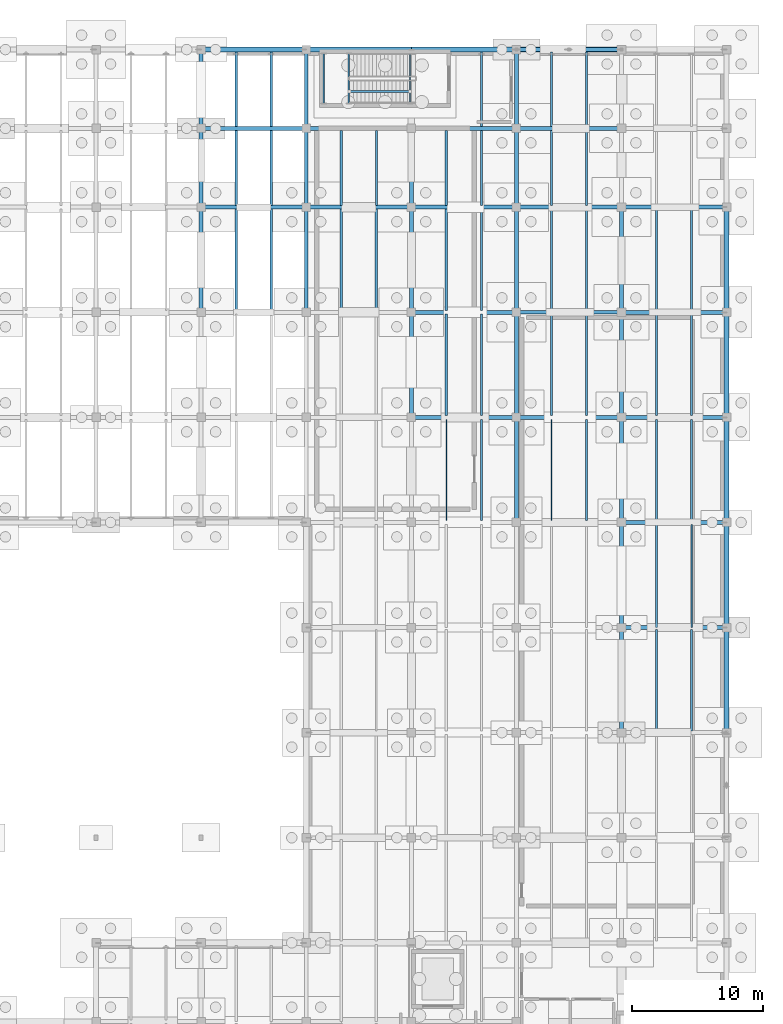
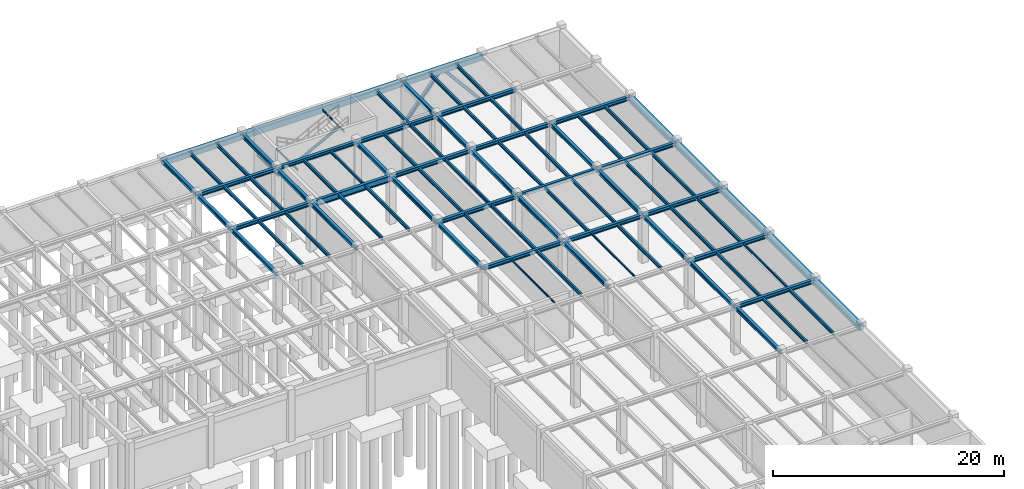
# One storey, part 30 of 71: 87 beams, 3 members.
"""IFC4 building model written with IfcOpenShell, lengths in metres."""

from ifc_helpers import new_model, si_unit, direction, frame, origin, origin_2d, place, context, subcontext, project, spatial, rectangle, hollow_rectangle, i_section, extrude, material, material_profile, profile_set, type_object, element, save


model = new_model("IFC4")

# Units and contexts
model_context = context("Model", 3, precision=1e-05, world=origin(), true_north=direction((0.0, 1.0)))
body_context = subcontext(model_context, "Body", "Model", "MODEL_VIEW")
ifc_project = project(units=[si_unit("LENGTHUNIT", "METRE"), si_unit("AREAUNIT", "SQUARE_METRE"), si_unit("VOLUMEUNIT", "CUBIC_METRE"), si_unit("PLANEANGLEUNIT", "RADIAN"), si_unit("MASSUNIT", "GRAM", prefix="KILO")], contexts=[model_context])

# Site, building, storey
site_placement = place(None, origin())
site = spatial("IfcSite", under=ifc_project, at=site_placement, CompositionType="ELEMENT")
building_placement = place(site_placement, origin())
building = spatial("IfcBuilding", under=site, at=building_placement, Name="Sundkrona Museum", CompositionType="ELEMENT")
storey_placement = place(building_placement, frame((0.0, 0.0, -5.39990234375)))
storey = spatial("IfcBuildingStorey", under=building, at=storey_placement, Name="B1", CompositionType="ELEMENT", Elevation=-5.39990234375)

# Beams
ifc_material_1 = material(Name="Steel S355J2", Category="steel")
ifc_material_profile_1 = material_profile(ifc_material_1, i_section(OverallWidth=0.300048828125, OverallDepth=0.639892578125, WebThickness=0.013427734375, FlangeThickness=0.02587890625, FilletRadius=0.027099609375, at=origin_2d()), Name="HEA 650")
ifc_profile_set_1 = profile_set([ifc_material_profile_1], Name="Steel S355J2")
beam_type_1 = type_object("IfcBeamType", Name="B-HEA650", PredefinedType="BEAM", material=ifc_profile_set_1)
beam_1_placement = place(storey_placement, frame((136.0, 102.0, 4.704833984375), z_axis=(1.0, 0.0, 0.0), x_axis=(0.0, 1.0, 0.0)))
element("IfcBeam", 1, at=beam_1_placement, inside=storey, type_object=beam_type_1, Name="B1 Girder X-0171", PredefinedType="BEAM", context=body_context, shape_type="SweptSolid", body=[
    extrude(i_section(OverallWidth=0.300048828125, OverallDepth=0.639892578125, WebThickness=0.013427734375, FlangeThickness=0.02587890625, FilletRadius=0.027099609375, at=origin_2d()), origin(), (0.0, 0.0, 1.0), 8.0),
])
ifc_material_profile_2 = material_profile(ifc_material_1, i_section(OverallWidth=0.300048828125, OverallDepth=0.360107421875, WebThickness=0.012451171875, FlangeThickness=0.0224609375, FilletRadius=0.027099609375, at=origin_2d()), Name="HEB 360")
ifc_profile_set_2 = profile_set([ifc_material_profile_2], Name="Steel S355J2")
beam_type_2 = type_object("IfcBeamType", Name="B-HEB360", PredefinedType="BEAM", material=ifc_profile_set_2)
beam_2_placement = place(storey_placement, frame((136.0, 108.0, 4.844970703125), z_axis=(1.0, 0.0, 0.0), x_axis=(0.0, 1.0, 0.0)))
element("IfcBeam", 2, at=beam_2_placement, inside=storey, type_object=beam_type_2, Name="B1 Girder X-0189", PredefinedType="BEAM", context=body_context, shape_type="SweptSolid", body=[
    extrude(i_section(OverallWidth=0.300048828125, OverallDepth=0.360107421875, WebThickness=0.012451171875, FlangeThickness=0.0224609375, FilletRadius=0.027099609375, at=origin_2d()), origin(), (0.0, 0.0, 1.0), 8.0),
])
ifc_material_profile_3 = material_profile(ifc_material_1, i_section(OverallWidth=0.300048828125, OverallDepth=0.39990234375, WebThickness=0.013427734375, FlangeThickness=0.02392578125, FilletRadius=0.027099609375, at=origin_2d()), Name="HEB 400")
ifc_profile_set_3 = profile_set([ifc_material_profile_3], Name="Steel S355J2")
beam_type_3 = type_object("IfcBeamType", Name="B-HEB400", PredefinedType="BEAM", material=ifc_profile_set_3)
for number, where, z_axis, x_axis, name in (
    (3, (160.0, 70.0, 4.849853515625), (1.0, 0.0, 0.0), (0.0, 1.0, 0.0), "B1 Girder X-0096"),
    (4, (160.0, 78.0, 4.824951171875), (1.0, 0.0, 0.0), (0.0, 1.0, 0.0), "B1 Girder X-0116"),
    (5, (144.0, 86.0, 4.824951171875), (1.0, 0.0, 0.0), (0.0, 1.0, 0.0), "B1 Girder X-0132"),
    (6, (152.0, 86.0, 4.824951171875), (1.0, 0.0, 0.0), (0.0, 1.0, 0.0), "B1 Girder X-0133"),
    (7, (160.0, 86.0, 4.824951171875), (1.0, 0.0, 0.0), (0.0, 1.0, 0.0), "B1 Girder X-0134"),
    (8, (144.0, 94.0, 4.824951171875), (1.0, 0.0, 0.0), (0.0, 1.0, 0.0), "B1 Girder X-0152"),
    (9, (160.0, 94.0, 4.824951171875), (1.0, 0.0, 0.0), (0.0, 1.0, 0.0), "B1 Girder X-0154"),
    (10, (128.0, 102.0, 4.824951171875), (1.0, 0.0, 0.0), (0.0, 1.0, 0.0), "B1 Girder X-0170"),
    (11, (144.0, 102.0, 4.824951171875), (1.0, 0.0, 0.0), (0.0, 1.0, 0.0), "B1 Girder X-0172"),
    (12, (152.0, 102.0, 4.824951171875), (1.0, 0.0, 0.0), (0.0, 1.0, 0.0), "B1 Girder X-0173"),
    (13, (160.0, 102.0, 4.824951171875), (1.0, 0.0, 0.0), (0.0, 1.0, 0.0), "B1 Girder X-0174"),
    (14, (128.0, 108.0, 4.824951171875), (1.0, 0.0, 0.0), (0.0, 1.0, 0.0), "B1 Girder X-0188"),
    (15, (144.0, 108.0, 4.824951171875), (1.0, 0.0, 0.0), (0.0, 1.0, 0.0), "B1 Girder X-0190"),
    (16, (152.0, 108.0, 4.824951171875), (1.0, 0.0, 0.0), (0.0, 1.0, 0.0), "B1 Girder X-0191"),
    (17, (128.0, 94.0, 4.919921875), (0.0, 1.0, 0.0), (-1.0, 0.0, 0.0), "B1 Girder Y-0348"),
):
    element("IfcBeam", number, at=place(storey_placement, frame(where, z_axis=z_axis, x_axis=x_axis)), inside=storey, type_object=beam_type_3, Name=name, PredefinedType="BEAM", context=body_context, shape_type="SweptSolid", body=[
        extrude(i_section(OverallWidth=0.300048828125, OverallDepth=0.39990234375, WebThickness=0.013427734375, FlangeThickness=0.02392578125, FilletRadius=0.027099609375, at=origin_2d()), origin(), (0.0, 0.0, 1.0), 8.0),
    ])
for number, where, z_axis, x_axis, name in (
    (18, (128.0, 102.0, 4.919921875), (0.0, 1.0, 0.0), (-1.0, 0.0, 0.0), "B1 Girder Y-0349"),
    (19, (128.0, 108.0, 4.919921875), (0.0, 1.0, 0.0), (-1.0, 0.0, 0.0), "B1 Girder Y-0350"),
):
    element("IfcBeam", number, at=place(storey_placement, frame(where, z_axis=z_axis, x_axis=x_axis)), inside=storey, type_object=beam_type_3, Name=name, PredefinedType="BEAM", context=body_context, shape_type="SweptSolid", body=[
        extrude(i_section(OverallWidth=0.300048828125, OverallDepth=0.39990234375, WebThickness=0.013427734375, FlangeThickness=0.02392578125, FilletRadius=0.027099609375, at=origin_2d()), origin(), (0.0, 0.0, 1.0), 6.0),
    ])
beam_3_placement = place(storey_placement, frame((136.0, 94.0, 4.824951171875), z_axis=(0.0, 1.0, 0.0), x_axis=(-1.0, 0.0, 0.0)))
element("IfcBeam", 20, at=beam_3_placement, inside=storey, type_object=beam_type_3, Name="B1 Girder Y-0363", PredefinedType="BEAM", context=body_context, shape_type="SweptSolid", body=[
    extrude(i_section(OverallWidth=0.300048828125, OverallDepth=0.39990234375, WebThickness=0.013427734375, FlangeThickness=0.02392578125, FilletRadius=0.027099609375, at=origin_2d()), origin(), (0.0, 0.0, 1.0), 8.0),
])
for number, where, z_axis, x_axis, name in (
    (21, (136.0, 102.0, 4.824951171875), (0.0, 1.0, 0.0), (-1.0, 0.0, 0.0), "B1 Girder Y-0364"),
    (22, (136.0, 108.0, 4.824951171875), (0.0, 1.0, 0.0), (-1.0, 0.0, 0.0), "B1 Girder Y-0365"),
):
    element("IfcBeam", number, at=place(storey_placement, frame(where, z_axis=z_axis, x_axis=x_axis)), inside=storey, type_object=beam_type_3, Name=name, PredefinedType="BEAM", context=body_context, shape_type="SweptSolid", body=[
        extrude(i_section(OverallWidth=0.300048828125, OverallDepth=0.39990234375, WebThickness=0.013427734375, FlangeThickness=0.02392578125, FilletRadius=0.027099609375, at=origin_2d()), origin(), (0.0, 0.0, 1.0), 6.0),
    ])
for number, where, z_axis, x_axis, name in (
    (23, (144.0, 86.0, 4.824951171875), (0.0, 1.0, 0.0), (-1.0, 0.0, 0.0), "B1 Girder Y-0377"),
    (24, (144.0, 94.0, 4.824951171875), (0.0, 1.0, 0.0), (-1.0, 0.0, 0.0), "B1 Girder Y-0378"),
):
    element("IfcBeam", number, at=place(storey_placement, frame(where, z_axis=z_axis, x_axis=x_axis)), inside=storey, type_object=beam_type_3, Name=name, PredefinedType="BEAM", context=body_context, shape_type="SweptSolid", body=[
        extrude(i_section(OverallWidth=0.300048828125, OverallDepth=0.39990234375, WebThickness=0.013427734375, FlangeThickness=0.02392578125, FilletRadius=0.027099609375, at=origin_2d()), origin(), (0.0, 0.0, 1.0), 8.0),
    ])
beam_4_placement = place(storey_placement, frame((144.0, 102.0, 4.824951171875), z_axis=(0.0, 1.0, 0.0), x_axis=(-1.0, 0.0, 0.0)))
element("IfcBeam", 25, at=beam_4_placement, inside=storey, type_object=beam_type_3, Name="B1 Girder Y-0379", PredefinedType="BEAM", context=body_context, shape_type="SweptSolid", body=[
    extrude(i_section(OverallWidth=0.300048828125, OverallDepth=0.39990234375, WebThickness=0.013427734375, FlangeThickness=0.02392578125, FilletRadius=0.027099609375, at=origin_2d()), origin(), (0.0, 0.0, 1.0), 6.0),
])
for number, where, z_axis, x_axis, name in (
    (26, (152.0, 78.0, 4.824951171875), (0.0, 1.0, 0.0), (-1.0, 0.0, 0.0), "B1 Girder Y-0390"),
    (27, (152.0, 86.0, 4.824951171875), (0.0, 1.0, 0.0), (-1.0, 0.0, 0.0), "B1 Girder Y-0391"),
    (28, (152.0, 94.0, 4.824951171875), (0.0, 1.0, 0.0), (-1.0, 0.0, 0.0), "B1 Girder Y-0392"),
):
    element("IfcBeam", number, at=place(storey_placement, frame(where, z_axis=z_axis, x_axis=x_axis)), inside=storey, type_object=beam_type_3, Name=name, PredefinedType="BEAM", context=body_context, shape_type="SweptSolid", body=[
        extrude(i_section(OverallWidth=0.300048828125, OverallDepth=0.39990234375, WebThickness=0.013427734375, FlangeThickness=0.02392578125, FilletRadius=0.027099609375, at=origin_2d()), origin(), (0.0, 0.0, 1.0), 8.0),
    ])
for number, where, z_axis, x_axis, name in (
    (29, (152.0, 102.0, 4.824951171875), (0.0, 1.0, 0.0), (-1.0, 0.0, 0.0), "B1 Girder Y-0393"),
    (30, (152.0, 108.0, 4.824951171875), (0.0, 1.0, 0.0), (-1.0, 0.0, 0.0), "B1 Girder Y-0394"),
):
    element("IfcBeam", number, at=place(storey_placement, frame(where, z_axis=z_axis, x_axis=x_axis)), inside=storey, type_object=beam_type_3, Name=name, PredefinedType="BEAM", context=body_context, shape_type="SweptSolid", body=[
        extrude(i_section(OverallWidth=0.300048828125, OverallDepth=0.39990234375, WebThickness=0.013427734375, FlangeThickness=0.02392578125, FilletRadius=0.027099609375, at=origin_2d()), origin(), (0.0, 0.0, 1.0), 6.0),
    ])
for number, where, z_axis, x_axis, name in (
    (31, (160.0, 62.0, 4.849853515625), (0.0, 1.0, 0.0), (-1.0, 0.0, 0.0), "B1 Girder Y-0401"),
    (32, (160.0, 70.0, 4.824951171875), (0.0, 1.0, 0.0), (-1.0, 0.0, 0.0), "B1 Girder Y-0402"),
    (33, (160.0, 78.0, 4.824951171875), (0.0, 1.0, 0.0), (-1.0, 0.0, 0.0), "B1 Girder Y-0403"),
    (34, (160.0, 86.0, 4.824951171875), (0.0, 1.0, 0.0), (-1.0, 0.0, 0.0), "B1 Girder Y-0404"),
    (35, (160.0, 94.0, 4.824951171875), (0.0, 1.0, 0.0), (-1.0, 0.0, 0.0), "B1 Girder Y-0405"),
):
    element("IfcBeam", number, at=place(storey_placement, frame(where, z_axis=z_axis, x_axis=x_axis)), inside=storey, type_object=beam_type_3, Name=name, PredefinedType="BEAM", context=body_context, shape_type="SweptSolid", body=[
        extrude(i_section(OverallWidth=0.300048828125, OverallDepth=0.39990234375, WebThickness=0.013427734375, FlangeThickness=0.02392578125, FilletRadius=0.027099609375, at=origin_2d()), origin(), (0.0, 0.0, 1.0), 8.0),
    ])
ifc_material_2 = material(Name="Concrete C40/50", Category="concrete")
ifc_material_profile_4 = material_profile(ifc_material_2, rectangle(XDim=0.39990234375, YDim=0.64990234375, at=origin_2d()), Name="RCB 400x650")
ifc_profile_set_4 = profile_set([ifc_material_profile_4], Name="Concrete C40/50")
beam_type_4 = type_object("IfcBeamType", Name="B-RC400", PredefinedType="BEAM", material=ifc_profile_set_4)
for number, where, z_axis, x_axis, name in (
    (36, (128.0, 114.0, 4.699951171875), (1.0, 0.0, 0.0), (0.0, 1.0, 0.0), "B1 Girder X-0206"),
    (37, (136.0, 114.0, 4.699951171875), (1.0, 0.0, 0.0), (0.0, 1.0, 0.0), "B1 Girder X-0207"),
    (38, (144.0, 114.0, 4.699951171875), (1.0, 0.0, 0.0), (0.0, 1.0, 0.0), "B1 Girder X-0208"),
    (39, (152.0, 114.0, 4.699951171875), (1.0, 0.0, 0.0), (0.0, 1.0, 0.0), "B1 Girder X-0209"),
    (40, (168.0, 62.0, 4.724853515625), (0.0, 1.0, 0.0), (-1.0, 0.0, 0.0), "B1 Girder Y-0416"),
    (41, (168.0, 70.0, 4.699951171875), (0.0, 1.0, 0.0), (-1.0, 0.0, 0.0), "B1 Girder Y-0417"),
    (42, (168.0, 78.0, 4.699951171875), (0.0, 1.0, 0.0), (-1.0, 0.0, 0.0), "B1 Girder Y-0418"),
    (43, (168.0, 86.0, 4.699951171875), (0.0, 1.0, 0.0), (-1.0, 0.0, 0.0), "B1 Girder Y-0419"),
    (44, (168.0, 94.0, 4.699951171875), (0.0, 1.0, 0.0), (-1.0, 0.0, 0.0), "B1 Girder Y-0420"),
):
    element("IfcBeam", number, at=place(storey_placement, frame(where, z_axis=z_axis, x_axis=x_axis)), inside=storey, type_object=beam_type_4, Name=name, PredefinedType="BEAM", context=body_context, shape_type="SweptSolid", body=[
        extrude(rectangle(XDim=0.39990234375, YDim=0.64990234375, at=origin_2d()), origin(), (0.0, 0.0, 1.0), 8.0),
    ])
ifc_material_3 = material(Name="Steel S460M", Category="steel")
ifc_material_profile_5 = material_profile(ifc_material_3, hollow_rectangle(XDim=0.25, YDim=0.25, WallThickness=0.012451171875, at=origin_2d()), Name="SHS 250x250x12.5")
ifc_profile_set_5 = profile_set([ifc_material_profile_5], Name="Steel S460M")
beam_type_5 = type_object("IfcBeamType", Name="B-SHS250", PredefinedType="BEAM", material=ifc_profile_set_5)
beam_5_placement = place(storey_placement, frame((152.0, 94.0, 4.89990234375), z_axis=(1.0, 0.0, 0.0), x_axis=(0.0, 1.0, 0.0)))
element("IfcBeam", 45, at=beam_5_placement, inside=storey, type_object=beam_type_5, Name="B1 Girder X-0153", PredefinedType="BEAM", context=body_context, shape_type="SweptSolid", body=[
    extrude(hollow_rectangle(XDim=0.25, YDim=0.25, WallThickness=0.012451171875, at=origin_2d()), origin(), (0.0, 0.0, 1.0), 8.0),
])

# Members
ifc_material_profile_6 = material_profile(ifc_material_1, i_section(OverallWidth=0.300048828125, OverallDepth=0.2900390625, WebThickness=0.008544921875, FlangeThickness=0.013916015625, FilletRadius=0.027099609375, at=origin_2d()), Name="HEA 300")
ifc_profile_set_6 = profile_set([ifc_material_profile_6], Name="Steel S355J2")
member_type_1 = type_object("IfcMemberType", Name="BR-HEA300", PredefinedType="BRACE", material=ifc_profile_set_6)
for number, where, z_axis, x_axis, name in (
    (46, (152.0, 114.0, 0.0), (0.639796377979, 0.0, 0.768544465028), (0.0, 1.0, 0.0), "CBR-1 B1 Concentric Chevron Brace 029A"),
    (47, (160.0, 114.0, 0.0), (-0.639796377979, 0.0, 0.768544465028), (0.0, -1.0, 0.0), "CBR-1 B1 Concentric Chevron Brace 029B"),
):
    element("IfcMember", number, at=place(storey_placement, frame(where, z_axis=z_axis, x_axis=x_axis)), inside=storey, type_object=member_type_1, Name=name, PredefinedType="BRACE", context=body_context, shape_type="SweptSolid", body=[
        extrude(i_section(OverallWidth=0.300048828125, OverallDepth=0.2900390625, WebThickness=0.008544921875, FlangeThickness=0.013916015625, FilletRadius=0.027099609375, at=origin_2d()), origin(), (0.0, 0.0, 1.0), 6.251953125),
    ])
ifc_material_profile_7 = material_profile(ifc_material_1, i_section(OverallWidth=0.135009765625, OverallDepth=0.27001953125, WebThickness=0.006591796875, FlangeThickness=0.01025390625, FilletRadius=0.014892578125, at=origin_2d()), Name="IPE 270")
ifc_profile_set_7 = profile_set([ifc_material_profile_7], Name="Steel S355J2")
member_type_2 = type_object("IfcMemberType", Name="BR-IPE270", PredefinedType="BRACE", material=ifc_profile_set_7)
member_placement = place(storey_placement, frame((139.284912109375, 110.800048828125, 2.3798828125), z_axis=(0.884492571905, 0.0, 0.466554273632), x_axis=(0.0, 1.0, 0.0)))
element("IfcMember", 48, at=member_placement, inside=storey, type_object=member_type_2, Name="SRK-1 B1 ST-5 Flight 2 Inclined Carriage Raker", PredefinedType="BRACE", context=body_context, shape_type="SweptSolid", body=[
    extrude(i_section(OverallWidth=0.135009765625, OverallDepth=0.27001953125, WebThickness=0.006591796875, FlangeThickness=0.01025390625, FilletRadius=0.014892578125, at=origin_2d()), origin(), (0.0, 0.0, 1.0), 5.2177734375),
])

# Beams
ifc_material_profile_8 = material_profile(ifc_material_1, i_section(OverallWidth=0.091064453125, OverallDepth=0.179931640625, WebThickness=0.00537109375, FlangeThickness=0.008056640625, FilletRadius=0.009033203125, at=origin_2d()), Name="IPE 180")
ifc_profile_set_8 = profile_set([ifc_material_profile_8], Name="Steel S355J2")
beam_type_6 = type_object("IfcBeamType", Name="J-IPE180", PredefinedType="JOIST", material=ifc_profile_set_8)
beam_6_placement = place(storey_placement, frame((146.666748046875, 78.14404296875, 4.934814453125), z_axis=(0.0, 1.0, 0.0), x_axis=(-1.0, 0.0, 0.0)))
element("IfcBeam", 49, at=beam_6_placement, inside=storey, type_object=beam_type_6, Name="B1 Composite Joist 0255", PredefinedType="JOIST", context=body_context, shape_type="SweptSolid", body=[
    extrude(i_section(OverallWidth=0.091064453125, OverallDepth=0.179931640625, WebThickness=0.00537109375, FlangeThickness=0.008056640625, FilletRadius=0.009033203125, at=origin_2d()), origin(), (0.0, 0.0, 1.0), 7.7119140625),
])
ifc_material_profile_9 = material_profile(ifc_material_1, i_section(OverallWidth=0.10009765625, OverallDepth=0.199951171875, WebThickness=0.005615234375, FlangeThickness=0.008544921875, FilletRadius=0.011962890625, at=origin_2d()), Name="IPE 200")
ifc_profile_set_9 = profile_set([ifc_material_profile_9], Name="Steel S355J2")
beam_type_7 = type_object("IfcBeamType", Name="J-IPE200", PredefinedType="JOIST", material=ifc_profile_set_9)
beam_7_placement = place(storey_placement, frame((154.666748046875, 78.14404296875, 4.9248046875), z_axis=(0.0, 1.0, 0.0), x_axis=(-1.0, 0.0, 0.0)))
element("IfcBeam", 50, at=beam_7_placement, inside=storey, type_object=beam_type_7, Name="B1 Composite Joist 0280", PredefinedType="JOIST", context=body_context, shape_type="SweptSolid", body=[
    extrude(i_section(OverallWidth=0.10009765625, OverallDepth=0.199951171875, WebThickness=0.005615234375, FlangeThickness=0.008544921875, FilletRadius=0.011962890625, at=origin_2d()), origin(), (0.0, 0.0, 1.0), 7.7119140625),
])
for number, where, z_axis, x_axis, name in (
    (51, (137.339599609375, 109.909912109375, 2.3798828125), (0.0, 1.0, 0.0), (-1.0, 0.0, 0.0), "B1 ST-5 Mid-Landing Trimmer Beam 1A"),
    (52, (139.245361328125, 109.909912109375, 2.3798828125), (0.0, 1.0, 0.0), (-1.0, 0.0, 0.0), "B1 ST-5 Mid-Landing Trimmer Beam 1B"),
    (53, (143.89990234375, 109.909912109375, 4.814208984375), (0.0, 1.0, 0.0), (-1.0, 0.0, 0.0), "B1 ST-5 Flight 2 Arrival Header Beam"),
):
    element("IfcBeam", number, at=place(storey_placement, frame(where, z_axis=z_axis, x_axis=x_axis)), inside=storey, type_object=beam_type_7, Name=name, PredefinedType="JOIST", context=body_context, shape_type="SweptSolid", body=[
        extrude(i_section(OverallWidth=0.10009765625, OverallDepth=0.199951171875, WebThickness=0.005615234375, FlangeThickness=0.008544921875, FilletRadius=0.011962890625, at=origin_2d()), origin(), (0.0, 0.0, 1.0), 3.780029296875),
    ])
ifc_material_profile_10 = material_profile(ifc_material_1, i_section(OverallWidth=0.1201171875, OverallDepth=0.239990234375, WebThickness=0.006103515625, FlangeThickness=0.009765625, FilletRadius=0.014892578125, at=origin_2d()), Name="IPE 240")
ifc_profile_set_10 = profile_set([ifc_material_profile_10], Name="Steel S355J2")
beam_type_8 = type_object("IfcBeamType", Name="J-IPE240", PredefinedType="JOIST", material=ifc_profile_set_10)
beam_8_placement = place(storey_placement, frame((165.333251953125, 70.014892578125, 4.90478515625), z_axis=(0.0, 1.0, 0.0), x_axis=(-1.0, 0.0, 0.0)))
element("IfcBeam", 54, at=beam_8_placement, inside=storey, type_object=beam_type_8, Name="B1 Composite Joist 0305", PredefinedType="JOIST", context=body_context, shape_type="SweptSolid", body=[
    extrude(i_section(OverallWidth=0.1201171875, OverallDepth=0.239990234375, WebThickness=0.006103515625, FlangeThickness=0.009765625, FilletRadius=0.014892578125, at=origin_2d()), origin(), (0.0, 0.0, 1.0), 7.841064453125),
])
ifc_material_profile_11 = material_profile(ifc_material_1, i_section(OverallWidth=0.14990234375, OverallDepth=0.300048828125, WebThickness=0.007080078125, FlangeThickness=0.0107421875, FilletRadius=0.014892578125, at=origin_2d()), Name="IPE 300")
ifc_profile_set_11 = profile_set([ifc_material_profile_11], Name="Steel S355J2")
beam_type_9 = type_object("IfcBeamType", Name="J-IPE300", PredefinedType="JOIST", material=ifc_profile_set_11)
beam_9_placement = place(storey_placement, frame((141.333251953125, 102.14404296875, 4.875), z_axis=(0.0, 1.0, 0.0), x_axis=(-1.0, 0.0, 0.0)))
element("IfcBeam", 55, at=beam_9_placement, inside=storey, type_object=beam_type_9, Name="B1 Composite Joist 0235", PredefinedType="JOIST", context=body_context, shape_type="SweptSolid", body=[
    extrude(i_section(OverallWidth=0.14990234375, OverallDepth=0.300048828125, WebThickness=0.007080078125, FlangeThickness=0.0107421875, FilletRadius=0.014892578125, at=origin_2d()), origin(), (0.0, 0.0, 1.0), 5.7119140625),
])
ifc_material_profile_12 = material_profile(ifc_material_1, i_section(OverallWidth=0.159912109375, OverallDepth=0.330078125, WebThickness=0.007568359375, FlangeThickness=0.011474609375, FilletRadius=0.01806640625, at=origin_2d()), Name="IPE 330")
ifc_profile_set_12 = profile_set([ifc_material_profile_12], Name="Steel S355J2")
beam_type_10 = type_object("IfcBeamType", Name="J-IPE330", PredefinedType="JOIST", material=ifc_profile_set_12)
beam_10_placement = place(storey_placement, frame((149.333251953125, 94.14404296875, 4.85986328125), z_axis=(0.0, 1.0, 0.0), x_axis=(-1.0, 0.0, 0.0)))
element("IfcBeam", 56, at=beam_10_placement, inside=storey, type_object=beam_type_10, Name="B1 Composite Joist 0260", PredefinedType="JOIST", context=body_context, shape_type="SweptSolid", body=[
    extrude(i_section(OverallWidth=0.159912109375, OverallDepth=0.330078125, WebThickness=0.007568359375, FlangeThickness=0.011474609375, FilletRadius=0.01806640625, at=origin_2d()), origin(), (0.0, 0.0, 1.0), 7.7119140625),
])
ifc_material_profile_13 = material_profile(ifc_material_1, i_section(OverallWidth=0.169921875, OverallDepth=0.360107421875, WebThickness=0.008056640625, FlangeThickness=0.0126953125, FilletRadius=0.01806640625, at=origin_2d()), Name="IPE 360")
ifc_profile_set_13 = profile_set([ifc_material_profile_13], Name="Steel S355J2")
beam_type_11 = type_object("IfcBeamType", Name="J-IPE360", PredefinedType="JOIST", material=ifc_profile_set_13)
for number, where, z_axis, x_axis, name in (
    (57, (130.666748046875, 94.14404296875, 4.844970703125), (0.0, 1.0, 0.0), (-1.0, 0.0, 0.0), "B1 Composite Joist 0202"),
    (58, (133.333251953125, 94.14404296875, 4.844970703125), (0.0, 1.0, 0.0), (-1.0, 0.0, 0.0), "B1 Composite Joist 0203"),
):
    element("IfcBeam", number, at=place(storey_placement, frame(where, z_axis=z_axis, x_axis=x_axis)), inside=storey, type_object=beam_type_11, Name=name, PredefinedType="JOIST", context=body_context, shape_type="SweptSolid", body=[
        extrude(i_section(OverallWidth=0.169921875, OverallDepth=0.360107421875, WebThickness=0.008056640625, FlangeThickness=0.0126953125, FilletRadius=0.01806640625, at=origin_2d()), origin(), (0.0, 0.0, 1.0), 7.7119140625),
    ])
for number, where, z_axis, x_axis, name in (
    (59, (130.666748046875, 102.14404296875, 4.844970703125), (0.0, 1.0, 0.0), (-1.0, 0.0, 0.0), "B1 Composite Joist 0204"),
    (60, (133.333251953125, 102.14404296875, 4.844970703125), (0.0, 1.0, 0.0), (-1.0, 0.0, 0.0), "B1 Composite Joist 0205"),
):
    element("IfcBeam", number, at=place(storey_placement, frame(where, z_axis=z_axis, x_axis=x_axis)), inside=storey, type_object=beam_type_11, Name=name, PredefinedType="JOIST", context=body_context, shape_type="SweptSolid", body=[
        extrude(i_section(OverallWidth=0.169921875, OverallDepth=0.360107421875, WebThickness=0.008056640625, FlangeThickness=0.0126953125, FilletRadius=0.01806640625, at=origin_2d()), origin(), (0.0, 0.0, 1.0), 5.7119140625),
    ])
for number, where, z_axis, x_axis, name in (
    (61, (130.666748046875, 108.14404296875, 4.844970703125), (0.0, 1.0, 0.0), (-1.0, 0.0, 0.0), "B1 Composite Joist 0206"),
    (62, (133.333251953125, 108.14404296875, 4.844970703125), (0.0, 1.0, 0.0), (-1.0, 0.0, 0.0), "B1 Composite Joist 0207"),
):
    element("IfcBeam", number, at=place(storey_placement, frame(where, z_axis=z_axis, x_axis=x_axis)), inside=storey, type_object=beam_type_11, Name=name, PredefinedType="JOIST", context=body_context, shape_type="SweptSolid", body=[
        extrude(i_section(OverallWidth=0.169921875, OverallDepth=0.360107421875, WebThickness=0.008056640625, FlangeThickness=0.0126953125, FilletRadius=0.01806640625, at=origin_2d()), origin(), (0.0, 0.0, 1.0), 5.661865234375),
    ])
for number, where, z_axis, x_axis, name in (
    (63, (138.666748046875, 94.14404296875, 4.844970703125), (0.0, 1.0, 0.0), (-1.0, 0.0, 0.0), "B1 Composite Joist 0232"),
    (64, (141.333251953125, 94.14404296875, 4.844970703125), (0.0, 1.0, 0.0), (-1.0, 0.0, 0.0), "B1 Composite Joist 0233"),
):
    element("IfcBeam", number, at=place(storey_placement, frame(where, z_axis=z_axis, x_axis=x_axis)), inside=storey, type_object=beam_type_11, Name=name, PredefinedType="JOIST", context=body_context, shape_type="SweptSolid", body=[
        extrude(i_section(OverallWidth=0.169921875, OverallDepth=0.360107421875, WebThickness=0.008056640625, FlangeThickness=0.0126953125, FilletRadius=0.01806640625, at=origin_2d()), origin(), (0.0, 0.0, 1.0), 7.7119140625),
    ])
beam_11_placement = place(storey_placement, frame((138.666748046875, 102.14404296875, 4.844970703125), z_axis=(0.0, 1.0, 0.0), x_axis=(-1.0, 0.0, 0.0)))
element("IfcBeam", 65, at=beam_11_placement, inside=storey, type_object=beam_type_11, Name="B1 Composite Joist 0234", PredefinedType="JOIST", context=body_context, shape_type="SweptSolid", body=[
    extrude(i_section(OverallWidth=0.169921875, OverallDepth=0.360107421875, WebThickness=0.008056640625, FlangeThickness=0.0126953125, FilletRadius=0.01806640625, at=origin_2d()), origin(), (0.0, 0.0, 1.0), 5.7119140625),
])
for number, where, z_axis, x_axis, name in (
    (66, (149.333251953125, 78.14404296875, 4.844970703125), (0.0, 1.0, 0.0), (-1.0, 0.0, 0.0), "B1 Composite Joist 0256"),
    (67, (146.666748046875, 86.14404296875, 4.844970703125), (0.0, 1.0, 0.0), (-1.0, 0.0, 0.0), "B1 Composite Joist 0257"),
    (68, (149.333251953125, 86.14404296875, 4.844970703125), (0.0, 1.0, 0.0), (-1.0, 0.0, 0.0), "B1 Composite Joist 0258"),
    (69, (146.666748046875, 94.14404296875, 4.844970703125), (0.0, 1.0, 0.0), (-1.0, 0.0, 0.0), "B1 Composite Joist 0259"),
):
    element("IfcBeam", number, at=place(storey_placement, frame(where, z_axis=z_axis, x_axis=x_axis)), inside=storey, type_object=beam_type_11, Name=name, PredefinedType="JOIST", context=body_context, shape_type="SweptSolid", body=[
        extrude(i_section(OverallWidth=0.169921875, OverallDepth=0.360107421875, WebThickness=0.008056640625, FlangeThickness=0.0126953125, FilletRadius=0.01806640625, at=origin_2d()), origin(), (0.0, 0.0, 1.0), 7.7119140625),
    ])
for number, where, z_axis, x_axis, name in (
    (70, (146.666748046875, 102.14404296875, 4.844970703125), (0.0, 1.0, 0.0), (-1.0, 0.0, 0.0), "B1 Composite Joist 0261"),
    (71, (149.333251953125, 102.14404296875, 4.844970703125), (0.0, 1.0, 0.0), (-1.0, 0.0, 0.0), "B1 Composite Joist 0262"),
):
    element("IfcBeam", number, at=place(storey_placement, frame(where, z_axis=z_axis, x_axis=x_axis)), inside=storey, type_object=beam_type_11, Name=name, PredefinedType="JOIST", context=body_context, shape_type="SweptSolid", body=[
        extrude(i_section(OverallWidth=0.169921875, OverallDepth=0.360107421875, WebThickness=0.008056640625, FlangeThickness=0.0126953125, FilletRadius=0.01806640625, at=origin_2d()), origin(), (0.0, 0.0, 1.0), 5.7119140625),
    ])
beam_12_placement = place(storey_placement, frame((149.333251953125, 108.14404296875, 4.844970703125), z_axis=(0.0, 1.0, 0.0), x_axis=(-1.0, 0.0, 0.0)))
element("IfcBeam", 72, at=beam_12_placement, inside=storey, type_object=beam_type_11, Name="B1 Composite Joist 0263", PredefinedType="JOIST", context=body_context, shape_type="SweptSolid", body=[
    extrude(i_section(OverallWidth=0.169921875, OverallDepth=0.360107421875, WebThickness=0.008056640625, FlangeThickness=0.0126953125, FilletRadius=0.01806640625, at=origin_2d()), origin(), (0.0, 0.0, 1.0), 5.661865234375),
])
beam_13_placement = place(storey_placement, frame((157.333251953125, 78.14404296875, 4.844970703125), z_axis=(0.0, 1.0, 0.0), x_axis=(-1.0, 0.0, 0.0)))
element("IfcBeam", 73, at=beam_13_placement, inside=storey, type_object=beam_type_11, Name="B1 Composite Joist 0281", PredefinedType="JOIST", context=body_context, shape_type="SweptSolid", body=[
    extrude(i_section(OverallWidth=0.169921875, OverallDepth=0.360107421875, WebThickness=0.008056640625, FlangeThickness=0.0126953125, FilletRadius=0.01806640625, at=origin_2d()), origin(), (0.0, 0.0, 1.0), 7.7119140625),
])
for number, where, z_axis, x_axis, name in (
    (74, (154.666748046875, 86.14404296875, 4.844970703125), (0.0, 1.0, 0.0), (-1.0, 0.0, 0.0), "B1 Composite Joist 0282"),
    (75, (157.333251953125, 86.14404296875, 4.844970703125), (0.0, 1.0, 0.0), (-1.0, 0.0, 0.0), "B1 Composite Joist 0283"),
    (76, (154.666748046875, 94.118896484375, 4.844970703125), (0.0, 1.0, 0.0), (-1.0, 0.0, 0.0), "B1 Composite Joist 0284"),
    (77, (157.333251953125, 94.118896484375, 4.844970703125), (0.0, 1.0, 0.0), (-1.0, 0.0, 0.0), "B1 Composite Joist 0285"),
):
    element("IfcBeam", number, at=place(storey_placement, frame(where, z_axis=z_axis, x_axis=x_axis)), inside=storey, type_object=beam_type_11, Name=name, PredefinedType="JOIST", context=body_context, shape_type="SweptSolid", body=[
        extrude(i_section(OverallWidth=0.169921875, OverallDepth=0.360107421875, WebThickness=0.008056640625, FlangeThickness=0.0126953125, FilletRadius=0.01806640625, at=origin_2d()), origin(), (0.0, 0.0, 1.0), 7.737060546875),
    ])
for number, where, z_axis, x_axis, name in (
    (78, (154.666748046875, 102.14404296875, 4.844970703125), (0.0, 1.0, 0.0), (-1.0, 0.0, 0.0), "B1 Composite Joist 0286"),
    (79, (157.333251953125, 102.14404296875, 4.844970703125), (0.0, 1.0, 0.0), (-1.0, 0.0, 0.0), "B1 Composite Joist 0287"),
):
    element("IfcBeam", number, at=place(storey_placement, frame(where, z_axis=z_axis, x_axis=x_axis)), inside=storey, type_object=beam_type_11, Name=name, PredefinedType="JOIST", context=body_context, shape_type="SweptSolid", body=[
        extrude(i_section(OverallWidth=0.169921875, OverallDepth=0.360107421875, WebThickness=0.008056640625, FlangeThickness=0.0126953125, FilletRadius=0.01806640625, at=origin_2d()), origin(), (0.0, 0.0, 1.0), 5.7119140625),
    ])
for number, where, z_axis, x_axis, name in (
    (80, (154.666748046875, 108.14404296875, 4.844970703125), (0.0, 1.0, 0.0), (-1.0, 0.0, 0.0), "B1 Composite Joist 0288"),
    (81, (157.333251953125, 108.14404296875, 4.844970703125), (0.0, 1.0, 0.0), (-1.0, 0.0, 0.0), "B1 Composite Joist 0289"),
):
    element("IfcBeam", number, at=place(storey_placement, frame(where, z_axis=z_axis, x_axis=x_axis)), inside=storey, type_object=beam_type_11, Name=name, PredefinedType="JOIST", context=body_context, shape_type="SweptSolid", body=[
        extrude(i_section(OverallWidth=0.169921875, OverallDepth=0.360107421875, WebThickness=0.008056640625, FlangeThickness=0.0126953125, FilletRadius=0.01806640625, at=origin_2d()), origin(), (0.0, 0.0, 1.0), 5.661865234375),
    ])
for number, where, z_axis, x_axis, name in (
    (82, (162.666748046875, 62.14404296875, 4.869873046875), (0.0, 1.0, 0.0), (-1.0, 0.0, 0.0), "B1 Composite Joist 0302"),
    (83, (165.333251953125, 62.14404296875, 4.869873046875), (0.0, 1.0, 0.0), (-1.0, 0.0, 0.0), "B1 Composite Joist 0303"),
):
    element("IfcBeam", number, at=place(storey_placement, frame(where, z_axis=z_axis, x_axis=x_axis)), inside=storey, type_object=beam_type_11, Name=name, PredefinedType="JOIST", context=body_context, shape_type="SweptSolid", body=[
        extrude(i_section(OverallWidth=0.169921875, OverallDepth=0.360107421875, WebThickness=0.008056640625, FlangeThickness=0.0126953125, FilletRadius=0.01806640625, at=origin_2d()), origin(), (0.0, 0.0, 1.0), 7.7119140625),
    ])
beam_14_placement = place(storey_placement, frame((162.666748046875, 70.014892578125, 4.844970703125), z_axis=(0.0, 1.0, 0.0), x_axis=(-1.0, 0.0, 0.0)))
element("IfcBeam", 84, at=beam_14_placement, inside=storey, type_object=beam_type_11, Name="B1 Composite Joist 0304", PredefinedType="JOIST", context=body_context, shape_type="SweptSolid", body=[
    extrude(i_section(OverallWidth=0.169921875, OverallDepth=0.360107421875, WebThickness=0.008056640625, FlangeThickness=0.0126953125, FilletRadius=0.01806640625, at=origin_2d()), origin(), (0.0, 0.0, 1.0), 7.841064453125),
])
for number, where, z_axis, x_axis, name in (
    (85, (162.666748046875, 78.14404296875, 4.844970703125), (0.0, 1.0, 0.0), (-1.0, 0.0, 0.0), "B1 Composite Joist 0306"),
    (86, (165.333251953125, 78.14404296875, 4.844970703125), (0.0, 1.0, 0.0), (-1.0, 0.0, 0.0), "B1 Composite Joist 0307"),
    (87, (162.666748046875, 86.14404296875, 4.844970703125), (0.0, 1.0, 0.0), (-1.0, 0.0, 0.0), "B1 Composite Joist 0308"),
    (88, (165.333251953125, 86.14404296875, 4.844970703125), (0.0, 1.0, 0.0), (-1.0, 0.0, 0.0), "B1 Composite Joist 0309"),
    (89, (165.333251953125, 94.14404296875, 4.844970703125), (0.0, 1.0, 0.0), (-1.0, 0.0, 0.0), "B1 Composite Joist 0311"),
):
    element("IfcBeam", number, at=place(storey_placement, frame(where, z_axis=z_axis, x_axis=x_axis)), inside=storey, type_object=beam_type_11, Name=name, PredefinedType="JOIST", context=body_context, shape_type="SweptSolid", body=[
        extrude(i_section(OverallWidth=0.169921875, OverallDepth=0.360107421875, WebThickness=0.008056640625, FlangeThickness=0.0126953125, FilletRadius=0.01806640625, at=origin_2d()), origin(), (0.0, 0.0, 1.0), 7.7119140625),
    ])
ifc_material_profile_14 = material_profile(ifc_material_1, i_section(OverallWidth=0.179931640625, OverallDepth=0.39990234375, WebThickness=0.008544921875, FlangeThickness=0.013427734375, FilletRadius=0.02099609375, at=origin_2d()), Name="IPE 400")
ifc_profile_set_14 = profile_set([ifc_material_profile_14], Name="Steel S355J2")
beam_type_12 = type_object("IfcBeamType", Name="J-IPE400", PredefinedType="JOIST", material=ifc_profile_set_14)
beam_15_placement = place(storey_placement, frame((162.666748046875, 94.14404296875, 4.824951171875), z_axis=(0.0, 1.0, 0.0), x_axis=(-1.0, 0.0, 0.0)))
element("IfcBeam", 90, at=beam_15_placement, inside=storey, type_object=beam_type_12, Name="B1 Composite Joist 0310", PredefinedType="JOIST", context=body_context, shape_type="SweptSolid", body=[
    extrude(i_section(OverallWidth=0.179931640625, OverallDepth=0.39990234375, WebThickness=0.008544921875, FlangeThickness=0.013427734375, FilletRadius=0.02099609375, at=origin_2d()), origin(), (0.0, 0.0, 1.0), 7.7119140625),
])

save(model, "model.ifc")
